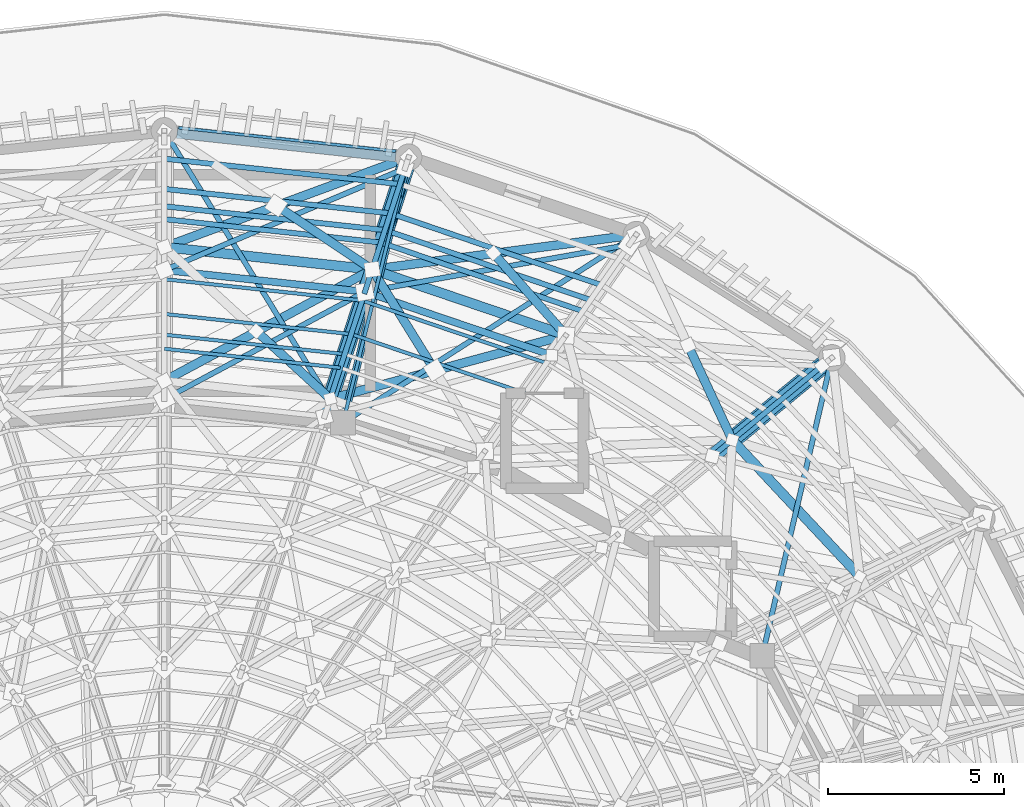
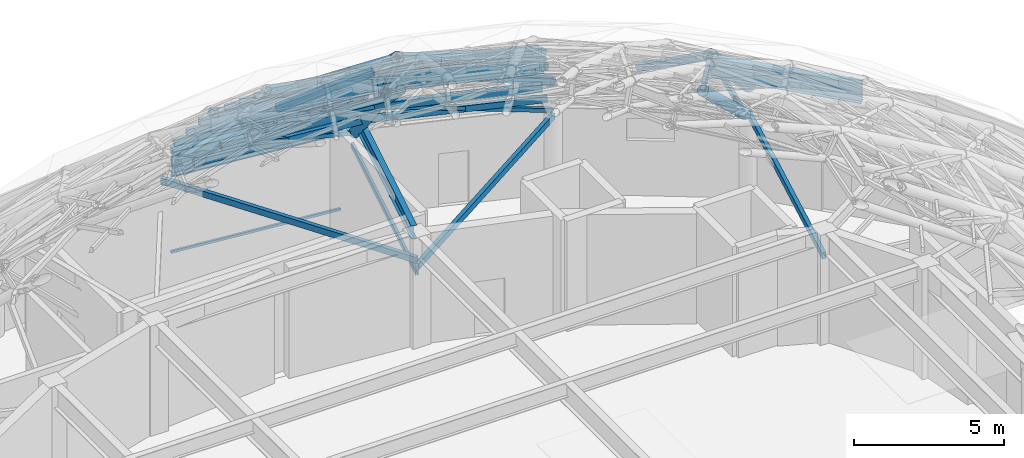
# One storey, part 33 of 50: 44 members, 5 beams.
"""IFC4 building model written with IfcOpenShell, lengths in metres."""

import ifcopenshell
import ifcopenshell.guid

model = None  # the IFC model being written
_history = None  # IfcOwnerHistory: only IFC2X3 demands one
_inside = {}  # id of a spatial element -> (the spatial element, [elements in it])
_under = {}  # id of a project, library or spatial element -> (it, [spatial elements below it])
_declared = {}  # id of a project -> (the project, [libraries it declares])
_typed = {}  # id of a type object -> (the type object, [elements of that type])
_made_of = {}  # id of a material, layer set ... -> (it, [elements and type objects made of it])


def new_model(schema):
    """Start an empty IFC model of exactly this schema.

    Asked for "IFC4X3", IfcOpenShell would pick the latest addendum, in which some entities
    have other attributes; the version numbers below select the first issue.
    IFC2X3 requires an IfcOwnerHistory on every rooted entity: one is made here for all.
    """
    global model, _history
    if schema == "IFC4X3":
        model = ifcopenshell.file(schema_version=(4, 3, 0, 0))
    else:
        model = ifcopenshell.file(schema=schema)
    _inside.clear()
    _under.clear()
    _declared.clear()
    _typed.clear()
    _made_of.clear()
    _history = None
    if model.schema == "IFC2X3":
        org = make("IfcOrganization", Name="unknown")
        user = make(
            "IfcPersonAndOrganization",
            ThePerson=make("IfcPerson", FamilyName="unknown"),
            TheOrganization=org,
        )
        app = make(
            "IfcApplication",
            ApplicationDeveloper=org,
            Version="unknown",
            ApplicationFullName="unknown",
            ApplicationIdentifier="unknown",
        )
        _history = make(
            "IfcOwnerHistory",
            OwningUser=user,
            OwningApplication=app,
            ChangeAction="ADDED",
            CreationDate=0,
        )
    return model


def make(cls, **values):
    """One entity of the class cls with the attributes given. An attribute that is None is left unset."""
    return model.create_entity(
        cls, **{name: value for name, value in values.items() if value is not None}
    )


def rooted(cls, **values):
    """An entity with a GlobalId (a new one), such as an element, a storey or a relation."""
    return make(cls, GlobalId=ifcopenshell.guid.new(), OwnerHistory=_history, **values)


def si_unit(unit_type, name, prefix=None):
    """IfcSIUnit, for example si_unit("LENGTHUNIT", "METRE", prefix="MILLI")."""
    return make("IfcSIUnit", UnitType=unit_type, Prefix=prefix, Name=name)


def assignment(units):
    """IfcUnitAssignment: the units of a project."""
    return None if units is None else make("IfcUnitAssignment", Units=units)


def point(xyz):
    """IfcCartesianPoint."""
    return None if xyz is None else make("IfcCartesianPoint", Coordinates=xyz)


def direction(xyz):
    """IfcDirection."""
    return None if xyz is None else make("IfcDirection", DirectionRatios=xyz)


def frame(location, z_axis=None, x_axis=None):
    """IfcAxis2Placement3D, a coordinate frame: its origin and axes. An axis left out is left unset."""
    return make(
        "IfcAxis2Placement3D",
        Location=point(location),
        Axis=direction(z_axis),
        RefDirection=direction(x_axis),
    )


def frame_2d(location, x_axis=None):
    """IfcAxis2Placement2D, a coordinate frame in the plane: its origin and x axis."""
    return make(
        "IfcAxis2Placement2D", Location=point(location), RefDirection=direction(x_axis)
    )


def origin():
    """The frame at (0, 0, 0) with its axes left unset."""
    return frame((0.0, 0.0, 0.0))


def origin_2d():
    """The frame at (0, 0) in the plane with its x axis left unset."""
    return frame_2d((0.0, 0.0))


def place(relative_to, where):
    """IfcLocalPlacement: puts the frame where relative to a parent placement (None: the world)."""
    return make(
        "IfcLocalPlacement", PlacementRelTo=relative_to, RelativePlacement=where
    )


def context(
    kind, dimensions, precision=None, world=None, true_north=None, identifier=None
):
    """IfcGeometricRepresentationContext, for example the 3D "Model" context."""
    return make(
        "IfcGeometricRepresentationContext",
        ContextIdentifier=identifier,
        ContextType=kind,
        CoordinateSpaceDimension=dimensions,
        Precision=precision,
        WorldCoordinateSystem=world,
        TrueNorth=true_north,
    )


def subcontext(parent, identifier, kind, view, scale=None):
    """IfcGeometricRepresentationSubContext, for example "Body" below "Model"."""
    return make(
        "IfcGeometricRepresentationSubContext",
        ContextIdentifier=identifier,
        ContextType=kind,
        ParentContext=parent,
        TargetScale=scale,
        TargetView=view,
    )


def project(units=None, contexts=None):
    """IfcProject with its units and contexts."""
    return rooted(
        "IfcProject",
        Name="project",
        RepresentationContexts=contexts,
        UnitsInContext=assignment(units),
    )


def spatial(cls, under=None, at=None, **own):
    """A site, building, storey or space (cls), placed at a placement, below another one or the project."""
    s = rooted(cls, ObjectPlacement=at, **own)
    if under is not None:
        _under.setdefault(under.id(), (under, []))[1].append(s)
    return s


def profile(cls, at=None, kind="AREA", **sizes):
    """A parametric profile (cls). Its sizes go by their IFC names, for example OverallWidth=200.0."""
    return make(cls, ProfileType=kind, Position=at, **sizes)


def rectangle(**sizes):
    """IfcRectangleProfileDef."""
    return profile("IfcRectangleProfileDef", **sizes)


def hollow_rectangle(**sizes):
    """IfcRectangleHollowProfileDef."""
    return profile("IfcRectangleHollowProfileDef", **sizes)


def hollow_circle(**sizes):
    """IfcCircleHollowProfileDef."""
    return profile("IfcCircleHollowProfileDef", **sizes)


def i_section(**sizes):
    """IfcIShapeProfileDef."""
    return profile("IfcIShapeProfileDef", **sizes)


def extrude(swept, where, along, depth):
    """IfcExtrudedAreaSolid: the profile swept, set in the frame where, extruded along a direction by depth."""
    return make(
        "IfcExtrudedAreaSolid",
        SweptArea=swept,
        Position=where,
        ExtrudedDirection=direction(along),
        Depth=depth,
    )


def shape(context_of_items, identifier, shape_type, items):
    """IfcShapeRepresentation: the items that make up one representation, for example the "Body"."""
    return make(
        "IfcShapeRepresentation",
        ContextOfItems=context_of_items,
        RepresentationIdentifier=identifier,
        RepresentationType=shape_type,
        Items=items,
    )


def material(Name=None, Category=None):
    """IfcMaterial."""
    return make("IfcMaterial", Name=Name, Category=Category)


def material_profile(
    of_material, cross_section, Name=None, Category=None, Priority=None
):
    """IfcMaterialProfile: a cross section and its material."""
    return make(
        "IfcMaterialProfile",
        Name=Name,
        Material=of_material,
        Profile=cross_section,
        Priority=Priority,
        Category=Category,
    )


def profile_set(profiles, Name=None, composite=None):
    """IfcMaterialProfileSet."""
    return make(
        "IfcMaterialProfileSet",
        Name=Name,
        MaterialProfiles=profiles,
        CompositeProfile=composite,
    )


def made_of(thing, what):
    """Note that an element or type object is made of a material, layer set ...; save() writes the relation."""
    if what is not None:
        _made_of.setdefault(what.id(), (what, []))[1].append(thing)
    return thing


def type_object(cls, material=None, **own):
    """A type object (cls), such as IfcWallType, which elements share."""
    return made_of(rooted(cls, **own), material)


def element(
    cls,
    number,
    at=None,
    inside=None,
    cuts=None,
    type_object=None,
    material=None,
    context=None,
    identifier="Body",
    shape_type=None,
    held_by="IfcProductDefinitionShape",
    body=None,
    shapes=None,
    **own,
):
    """One element of the class cls, such as IfcWall. Its Tag is "e" and its number.

    at: its placement. inside: the storey or other place that contains it. cuts: it is an
    opening in that element (IfcRelVoidsElement). A single representation is given by context,
    identifier, shape_type and body (its items); several are given by shapes. held_by: the class
    of the entity that holds the representations. save() writes the other relations.
    """
    e = rooted(cls, Tag="e%d" % number, ObjectPlacement=at, **own)
    if body is not None:
        shapes = [shape(context, identifier, shape_type, body)]
    if shapes is not None:
        e.Representation = make(held_by, Representations=shapes)
    if inside is not None:
        _inside.setdefault(inside.id(), (inside, []))[1].append(e)
    if cuts is not None:
        rooted(
            "IfcRelVoidsElement", RelatingBuildingElement=cuts, RelatedOpeningElement=e
        )
    if type_object is not None:
        _typed.setdefault(type_object.id(), (type_object, []))[1].append(e)
    return made_of(e, material)


def aggregate(whole, parts):
    """IfcRelAggregates: a whole, such as a stair, and the parts it consists of."""
    return rooted("IfcRelAggregates", RelatingObject=whole, RelatedObjects=parts)


def save(model, path):
    """Write the relations noted so far, then the file.

    IfcRelAggregates (storeys below a building ...), IfcRelContainedInSpatialStructure (elements
    in a storey), IfcRelDefinesByType, IfcRelAssociatesMaterial and IfcRelDeclares: one each for
    every whole, place, type object, material and project.
    """
    for whole, parts in _under.values():
        aggregate(whole, parts)
    for where, things in _inside.values():
        rooted(
            "IfcRelContainedInSpatialStructure",
            RelatedElements=things,
            RelatingStructure=where,
        )
    for kind, things in _typed.values():
        rooted("IfcRelDefinesByType", RelatedObjects=things, RelatingType=kind)
    for what, things in _made_of.values():
        rooted("IfcRelAssociatesMaterial", RelatedObjects=things, RelatingMaterial=what)
    for by, libraries in _declared.values():
        rooted("IfcRelDeclares", RelatingContext=by, RelatedDefinitions=libraries)
    model.write(path)


model = new_model("IFC4")

# Units and contexts
model_context = context("Model", 3, precision=1e-05, world=origin(), true_north=direction((0.0, 1.0)))
body_context = subcontext(model_context, "Body", "Model", "MODEL_VIEW")
ifc_project = project(units=[si_unit("LENGTHUNIT", "METRE"), si_unit("AREAUNIT", "SQUARE_METRE"), si_unit("VOLUMEUNIT", "CUBIC_METRE"), si_unit("PLANEANGLEUNIT", "RADIAN"), si_unit("MASSUNIT", "GRAM", prefix="KILO")], contexts=[model_context])

# Site, building, storey
site_placement = place(None, origin())
site = spatial("IfcSite", under=ifc_project, at=site_placement, CompositionType="ELEMENT")
building_placement = place(site_placement, origin())
building = spatial("IfcBuilding", under=site, at=building_placement, Name="Cinderbank Siding Concert Hall", CompositionType="ELEMENT")
storey_placement = place(building_placement, frame((0.0, 0.0, 23.699951171875)))
storey = spatial("IfcBuildingStorey", under=building, at=storey_placement, Name="L06", CompositionType="ELEMENT", Elevation=23.699951171875)

# Beams
ifc_material_1 = material(Name="Structural steel AS/NZS 3679.1 Grade 350 (340 MPa)", Category="steel")
ifc_material_profile_1 = material_profile(ifc_material_1, i_section(OverallWidth=0.208984375, OverallDepth=0.532958984375, WebThickness=0.01025390625, FlangeThickness=0.015625, at=origin_2d()), Name="530UB92.4", Category="LoadBearing")
ifc_profile_set_1 = profile_set([ifc_material_profile_1], Name="Structural steel AS/NZS 3679.1 Grade 350 (340 MPa)")
beam_type_1 = type_object("IfcBeamType", Name="BM-UB530H 530UB92.4", PredefinedType="BEAM", material=ifc_profile_set_1)
beam_1_placement = place(storey_placement, frame((127.155029296875, 58.048095703125, 4.235595703125), z_axis=(0.240115631411, 0.970744293598, 0.0), x_axis=(-0.970744293598, 0.240115631411, 0.0)))
element("IfcBeam", 1, at=beam_1_placement, inside=storey, type_object=beam_type_1, Name="L06 Beam BM-UB530H #841", PredefinedType="BEAM", context=body_context, shape_type="SweptSolid", body=[
    extrude(i_section(OverallWidth=0.208984375, OverallDepth=0.532958984375, WebThickness=0.01025390625, FlangeThickness=0.015625, at=origin_2d()), origin(), (0.0, 0.0, 1.0), 7.05224609375),
])
ifc_material_2 = material(Name="Structural steel welded plate section AS/NZS 3679.2 / AS/NZS 3678 Grade 350 (340 MPa)", Category="steel")
ifc_material_profile_2 = material_profile(ifc_material_2, i_section(OverallWidth=0.35009765625, OverallDepth=1.0, WebThickness=0.013916015625, FlangeThickness=0.02490234375, at=origin_2d()), Name="1000WB258", Category="LoadBearing")
ifc_profile_set_2 = profile_set([ifc_material_profile_2], Name="Structural steel welded plate section AS/NZS 3679.2 / AS/NZS 3678 Grade 350 (340 MPa)")
beam_type_2 = type_object("IfcBeamType", Name="BM-WB1000 1000WB258", PredefinedType="BEAM", material=ifc_profile_set_2)
beam_2_placement = place(storey_placement, frame((128.571533203125, 65.289794921875, 4.0), z_axis=(-0.994208402861, 0.107469305761, 0.0), x_axis=(-0.107469305761, -0.994208402861, 0.0)))
element("IfcBeam", 2, at=beam_2_placement, inside=storey, type_object=beam_type_2, Name="L06 Beam BM-WB1000 #822", PredefinedType="BEAM", context=body_context, shape_type="SweptSolid", body=[
    extrude(i_section(OverallWidth=0.35009765625, OverallDepth=1.0, WebThickness=0.013916015625, FlangeThickness=0.02490234375, at=origin_2d()), origin(), (0.0, 0.0, 1.0), 6.24267578125),
])
ifc_material_profile_3 = material_profile(ifc_material_2, i_section(OverallWidth=0.27490234375, OverallDepth=0.800048828125, WebThickness=0.010009765625, FlangeThickness=0.01611328125, at=origin_2d()), Name="800WB146", Category="LoadBearing")
ifc_profile_set_3 = profile_set([ifc_material_profile_3], Name="Structural steel welded plate section AS/NZS 3679.2 / AS/NZS 3678 Grade 350 (340 MPa)")
beam_type_3 = type_object("IfcBeamType", Name="BM-WB800 800WB146", PredefinedType="BEAM", material=ifc_profile_set_3)
beam_3_placement = place(storey_placement, frame((141.745361328125, 53.35009765625, 7.699951171875), z_axis=(-0.683191972894, 0.730238815849, 0.0), x_axis=(-0.730238815849, -0.683191972894, 0.0)))
element("IfcBeam", 3, at=beam_3_placement, inside=storey, type_object=beam_type_3, Name="L06 Beam BM-WB800 #2035", PredefinedType="BEAM", context=body_context, shape_type="SweptSolid", body=[
    extrude(i_section(OverallWidth=0.27490234375, OverallDepth=0.800048828125, WebThickness=0.010009765625, FlangeThickness=0.01611328125, at=origin_2d()), origin(), (0.0, 0.0, 1.0), 5.303466796875),
])
beam_4_placement = place(storey_placement, frame((133.39990234375, 60.194580078125, 7.699951171875), z_axis=(-0.946847286492, 0.32168340968, 0.0), x_axis=(-0.32168340968, -0.946847286492, 0.0)))
element("IfcBeam", 4, at=beam_4_placement, inside=storey, type_object=beam_type_3, Name="L06 Beam BM-WB800 #2037", PredefinedType="BEAM", context=body_context, shape_type="SweptSolid", body=[
    extrude(i_section(OverallWidth=0.27490234375, OverallDepth=0.800048828125, WebThickness=0.010009765625, FlangeThickness=0.01611328125, at=origin_2d()), origin(), (0.0, 0.0, 1.0), 5.807373046875),
])
beam_5_placement = place(storey_placement, frame((127.901123046875, 62.062744140625, 7.699951171875), z_axis=(-0.99422058231, 0.107356572745, 0.0), x_axis=(-0.107356572745, -0.99422058231, 0.0)))
element("IfcBeam", 5, at=beam_5_placement, inside=storey, type_object=beam_type_3, Name="L06 Beam BM-WB800 #2038", PredefinedType="BEAM", context=body_context, shape_type="SweptSolid", body=[
    extrude(i_section(OverallWidth=0.27490234375, OverallDepth=0.800048828125, WebThickness=0.010009765625, FlangeThickness=0.01611328125, at=origin_2d()), origin(), (0.0, 0.0, 1.0), 5.935546875),
])

# Members
ifc_material_3 = material(Name="Structural steel hollow section AS/NZS 1163 Grade C350L0 (350 MPa)", Category="steel")
ifc_material_profile_4 = material_profile(ifc_material_3, hollow_rectangle(XDim=0.14990234375, YDim=0.14990234375, WallThickness=0.008056640625, at=origin_2d()), Name="150x150x8.0SHS", Category="LoadBearing")
ifc_profile_set_4 = profile_set([ifc_material_profile_4], Name="Structural steel hollow section AS/NZS 1163 Grade C350L0 (350 MPa)")
member_type_1 = type_object("IfcMemberType", Name="BR-SHS150 150x150x8.0SHS Roof Truss", PredefinedType="BRACE", material=ifc_profile_set_4)
member_1_placement = place(storey_placement, frame((140.666259765625, 59.322998046875, 3.550048828125), z_axis=(-0.452689460035, -0.373671887076, 0.80959346192), x_axis=(0.636588791364, -0.771203417206, 0.0)))
element("IfcMember", 6, at=member_1_placement, inside=storey, type_object=member_type_1, Name="L06 Diagonal Brace BR-SHS150 #DWBD-BR-SHS150-L06-0566", PredefinedType="BRACE", context=body_context, shape_type="SweptSolid", body=[
    extrude(hollow_rectangle(XDim=0.14990234375, YDim=0.14990234375, WallThickness=0.008056640625, at=origin_2d()), origin(), (0.0, 0.0, 1.0), 5.6201171875),
])
member_2_placement = place(storey_placement, frame((135.198974609375, 62.766845703125, 3.550048828125), z_axis=(-0.890219039627, -0.158506370092, 0.42706649614), x_axis=(0.175296201555, -0.984515739702, 0.0)))
element("IfcMember", 7, at=member_2_placement, inside=storey, type_object=member_type_1, Name="L06 Diagonal Brace BR-SHS150 #DBRI-BR-SHS150-L06-0587", PredefinedType="BRACE", context=body_context, shape_type="SweptSolid", body=[
    extrude(hollow_rectangle(XDim=0.14990234375, YDim=0.14990234375, WallThickness=0.008056640625, at=origin_2d()), origin(), (0.0, 0.0, 1.0), 8.429931640625),
])
member_3_placement = place(storey_placement, frame((128.832275390625, 64.931640625, 3.550048828125), z_axis=(-0.170572320139, -0.525536270045, 0.83349667814), x_axis=(0.951154746371, -0.30871450963, 0.0)))
element("IfcMember", 8, at=member_3_placement, inside=storey, type_object=member_type_1, Name="L06 Diagonal Brace BR-SHS150 #DWBD-BR-SHS150-L06-0590", PredefinedType="BRACE", context=body_context, shape_type="SweptSolid", body=[
    extrude(hollow_rectangle(XDim=0.14990234375, YDim=0.14990234375, WallThickness=0.008056640625, at=origin_2d()), origin(), (0.0, 0.0, 1.0), 5.458984375),
])
member_4_placement = place(storey_placement, frame((128.832275390625, 64.931640625, 3.550048828125), z_axis=(-0.828711720214, -0.350081470658, 0.436669037923), x_axis=(0.389142753647, -0.921177462427, 0.0)))
element("IfcMember", 9, at=member_4_placement, inside=storey, type_object=member_type_1, Name="L06 Diagonal Brace BR-SHS150 #DBRI-BR-SHS150-L06-0599", PredefinedType="BRACE", context=body_context, shape_type="SweptSolid", body=[
    extrude(hollow_rectangle(XDim=0.14990234375, YDim=0.14990234375, WallThickness=0.008056640625, at=origin_2d()), origin(), (0.0, 0.0, 1.0), 8.244384765625),
])
member_5_placement = place(storey_placement, frame((137.557861328125, 56.760009765625, 7.150146484375), z_axis=(0.470991454389, 0.386412720693, 0.793002054966), x_axis=(-0.634275599208, 0.77310701992, 0.0)))
element("IfcMember", 10, at=member_5_placement, inside=storey, type_object=member_type_1, Name="L06 Diagonal Brace BR-SHS150 #DWBV-BR-SHS150-L06-0857", PredefinedType="BRACE", context=body_context, shape_type="SweptSolid", body=[
    extrude(hollow_rectangle(XDim=0.14990234375, YDim=0.14990234375, WallThickness=0.008056640625, at=origin_2d()), origin(), (0.0, 0.0, 1.0), 1.197998046875),
])
member_6_placement = place(storey_placement, frame((127.694580078125, 61.4306640625, 7.150146484375), z_axis=(-0.187934294222, -0.580213915056, 0.792485024357), x_axis=(0.951339765212, -0.30814388056, 0.0)))
element("IfcMember", 11, at=member_6_placement, inside=storey, type_object=member_type_1, Name="L06 Diagonal Brace BR-SHS150 #DWBD-BR-SHS150-L06-0878", PredefinedType="BRACE", context=body_context, shape_type="SweptSolid", body=[
    extrude(hollow_rectangle(XDim=0.14990234375, YDim=0.14990234375, WallThickness=0.008056640625, at=origin_2d()), origin(), (0.0, 0.0, 1.0), 5.236572265625),
])
member_7_placement = place(storey_placement, frame((127.694580078125, 61.4306640625, 7.150146484375), z_axis=(0.178120981918, 0.545100735444, 0.819230189885), x_axis=(-0.950539108206, 0.310604899785, 0.0)))
element("IfcMember", 12, at=member_7_placement, inside=storey, type_object=member_type_1, Name="L06 Diagonal Brace BR-SHS150 #DWBV-BR-SHS150-L06-0881", PredefinedType="BRACE", context=body_context, shape_type="SweptSolid", body=[
    extrude(hollow_rectangle(XDim=0.14990234375, YDim=0.14990234375, WallThickness=0.008056640625, at=origin_2d()), origin(), (0.0, 0.0, 1.0), 1.15966796875),
])
member_8_placement = place(storey_placement, frame((127.694580078125, 61.4306640625, 7.150146484375), z_axis=(-0.789816658408, -0.423334956631, 0.443821090751), x_axis=(0.472411197164, -0.881378273384, 0.0)))
element("IfcMember", 13, at=member_8_placement, inside=storey, type_object=member_type_1, Name="L06 Diagonal Brace BR-SHS150 #DBRI-BR-SHS150-L06-0887", PredefinedType="BRACE", context=body_context, shape_type="SweptSolid", body=[
    extrude(hollow_rectangle(XDim=0.14990234375, YDim=0.14990234375, WallThickness=0.008056640625, at=origin_2d()), origin(), (0.0, 0.0, 1.0), 7.2099609375),
])
ifc_material_profile_5 = material_profile(ifc_material_3, hollow_rectangle(XDim=0.25, YDim=0.25, WallThickness=0.010009765625, at=origin_2d()), Name="250x250x10.0SHS", Category="LoadBearing")
ifc_profile_set_5 = profile_set([ifc_material_profile_5], Name="Structural steel hollow section AS/NZS 1163 Grade C350L0 (350 MPa)")
member_type_2 = type_object("IfcMemberType", Name="BR-SHS250 250x250x10.0SHS Roof Truss", PredefinedType="BRACE", material=ifc_profile_set_5)
member_9_placement = place(storey_placement, frame((136.876708984375, 59.889892578125, 6.453125), z_axis=(0.369228339727, -0.790717581489, 0.488299231483), x_axis=(0.906083521163, 0.423098868679, 0.0)))
element("IfcMember", 14, at=member_9_placement, inside=storey, type_object=member_type_2, Name="L06 Diagonal Brace BR-SHS250 #DBRO-BR-SHS250-L06-0574-S60", PredefinedType="BRACE", context=body_context, shape_type="SweptSolid", body=[
    extrude(hollow_rectangle(XDim=0.25, YDim=0.25, WallThickness=0.010009765625, at=origin_2d()), origin(), (0.0, 0.0, 1.0), 3.372802734375),
])
member_10_placement = place(storey_placement, frame((135.39990234375, 63.052490234375, 4.5), z_axis=(-0.895176496431, -0.11815222258, 0.429766323177), x_axis=(0.130852773673, -0.991401811387, 0.0)))
element("IfcMember", 15, at=member_10_placement, inside=storey, type_object=member_type_2, Name="L06 Diagonal Brace BR-SHS250 #DBRO-BR-SHS250-L06-0585", PredefinedType="BRACE", context=body_context, shape_type="SweptSolid", body=[
    extrude(hollow_rectangle(XDim=0.25, YDim=0.25, WallThickness=0.010009765625, at=origin_2d()), origin(), (0.0, 0.0, 1.0), 8.376953125),
])
member_11_placement = place(storey_placement, frame((131.357421875, 62.50830078125, 6.45263671875), z_axis=(0.583824277491, -0.661355806572, 0.470911573573), x_axis=(0.749683163545, 0.661796913181, 0.0)))
element("IfcMember", 16, at=member_11_placement, inside=storey, type_object=member_type_2, Name="L06 Diagonal Brace BR-SHS250 #DBRO-BR-SHS250-L06-0586-S61", PredefinedType="BRACE", context=body_context, shape_type="SweptSolid", body=[
    extrude(hollow_rectangle(XDim=0.25, YDim=0.25, WallThickness=0.010009765625, at=origin_2d()), origin(), (0.0, 0.0, 1.0), 3.49853515625),
])
member_12_placement = place(storey_placement, frame((128.936279296875, 65.25048828125, 4.5), z_axis=(-0.843770201736, -0.310262479235, 0.437937256513), x_axis=(0.345117427797, -0.938559513846, 0.0)))
element("IfcMember", 17, at=member_12_placement, inside=storey, type_object=member_type_2, Name="L06 Diagonal Brace BR-SHS250 #DBRO-BR-SHS250-L06-0597", PredefinedType="BRACE", context=body_context, shape_type="SweptSolid", body=[
    extrude(hollow_rectangle(XDim=0.25, YDim=0.25, WallThickness=0.010009765625, at=origin_2d()), origin(), (0.0, 0.0, 1.0), 8.220458984375),
])
member_13_placement = place(storey_placement, frame((125.19970703125, 63.864990234375, 6.4521484375), z_axis=(0.741814873648, -0.494900804091, 0.452530537472), x_axis=(0.554977752544, 0.831865189908, 0.0)))
element("IfcMember", 18, at=member_13_placement, inside=storey, type_object=member_type_2, Name="L06 Diagonal Brace BR-SHS250 #DBRO-BR-SHS250-L06-0598-S62", PredefinedType="BRACE", context=body_context, shape_type="SweptSolid", body=[
    extrude(hollow_rectangle(XDim=0.25, YDim=0.25, WallThickness=0.010009765625, at=origin_2d()), origin(), (0.0, 0.0, 1.0), 3.6416015625),
])
member_14_placement = place(storey_placement, frame((133.39990234375, 60.194580078125, 8.10009765625), z_axis=(-0.87658241106, -0.236165378045, 0.419319914663), x_axis=(0.260140287544, -0.965570831579, 0.0)))
element("IfcMember", 19, at=member_14_placement, inside=storey, type_object=member_type_2, Name="L06 Diagonal Brace BR-SHS250 #DBRO-BR-SHS250-L06-0873", PredefinedType="BRACE", context=body_context, shape_type="SweptSolid", body=[
    extrude(hollow_rectangle(XDim=0.25, YDim=0.25, WallThickness=0.010009765625, at=origin_2d()), origin(), (0.0, 0.0, 1.0), 7.63134765625),
])
member_15_placement = place(storey_placement, frame((127.901123046875, 62.062744140625, 8.10009765625), z_axis=(0.466188429807, -0.751809109667, 0.466316856372), x_axis=(0.849868880938, 0.526994198463, 0.0)))
element("IfcMember", 20, at=member_15_placement, inside=storey, type_object=member_type_2, Name="L06 Diagonal Brace BR-SHS250 #DBRO-BR-SHS250-L06-0874", PredefinedType="BRACE", context=body_context, shape_type="SweptSolid", body=[
    extrude(hollow_rectangle(XDim=0.25, YDim=0.25, WallThickness=0.010009765625, at=origin_2d()), origin(), (0.0, 0.0, 1.0), 3.802001953125),
])
member_16_placement = place(storey_placement, frame((127.901123046875, 62.062744140625, 8.10009765625), z_axis=(-0.795226599266, -0.426219874787, 0.431220679185), x_axis=(0.472398485629, -0.88138508654, 0.0)))
element("IfcMember", 21, at=member_16_placement, inside=storey, type_object=member_type_2, Name="L06 Diagonal Brace BR-SHS250 #DBRO-BR-SHS250-L06-0885", PredefinedType="BRACE", context=body_context, shape_type="SweptSolid", body=[
    extrude(hollow_rectangle(XDim=0.25, YDim=0.25, WallThickness=0.010009765625, at=origin_2d()), origin(), (0.0, 0.0, 1.0), 7.420654296875),
])
member_17_placement = place(storey_placement, frame((124.629638671875, 60.295166015625, 9.886474609375), z_axis=(0.659703249603, -0.603276678095, 0.448161658477), x_axis=(0.67484195984, 0.737962281719, 0.0)))
element("IfcMember", 22, at=member_17_placement, inside=storey, type_object=member_type_2, Name="L06 Diagonal Brace BR-SHS250 #DBRO-BR-SHS250-L06-0886-S86", PredefinedType="BRACE", context=body_context, shape_type="SweptSolid", body=[
    extrude(hollow_rectangle(XDim=0.25, YDim=0.25, WallThickness=0.010009765625, at=origin_2d()), origin(), (0.0, 0.0, 1.0), 3.154052734375),
])
ifc_material_profile_6 = material_profile(ifc_material_3, hollow_circle(Radius=0.177734375, WallThickness=0.0126953125, at=origin_2d()), Name="355.6x12.7CHS", Category="LoadBearing")
ifc_profile_set_6 = profile_set([ifc_material_profile_6], Name="Structural steel hollow section AS/NZS 1163 Grade C350L0 (350 MPa)")
member_type_3 = type_object("IfcMemberType", Name="DR-CHS355 355.6x12.7CHS Roof Truss", PredefinedType="RAFTER", material=ifc_profile_set_6)
member_18_placement = place(storey_placement, frame((127.694580078125, 61.4306640625, 7.150146484375), z_axis=(-0.234010079383, -0.72142333865, 0.651757354541), x_axis=(0.951209297801, -0.308546385129, 0.0)))
element("IfcMember", 23, at=member_18_placement, inside=storey, type_object=member_type_3, Name="L06 Roof Truss Member DR-CHS355 #877", PredefinedType="RAFTER", context=body_context, shape_type="SweptSolid", body=[
    extrude(hollow_circle(Radius=0.177734375, WallThickness=0.0126953125, at=origin_2d()), origin(), (0.0, 0.0, 1.0), 4.90966796875),
])
ifc_material_profile_7 = material_profile(ifc_material_3, hollow_circle(Radius=0.203125, WallThickness=0.01611328125, at=origin_2d()), Name="406.4x16.0CHS", Category="LoadBearing")
ifc_profile_set_7 = profile_set([ifc_material_profile_7], Name="Structural steel hollow section AS/NZS 1163 Grade C350L0 (350 MPa)")
member_type_4 = type_object("IfcMemberType", Name="DR-CHS406 406.4x16.0CHS Roof Truss", PredefinedType="RAFTER", material=ifc_profile_set_7)
member_19_placement = place(storey_placement, frame((140.666259765625, 59.322998046875, 3.550048828125), z_axis=(-0.575316188818, -0.474369254651, 0.666322064115), x_axis=(0.636170191189, -0.771548759213, 0.0)))
element("IfcMember", 24, at=member_19_placement, inside=storey, type_object=member_type_4, Name="L06 Roof Truss Member DR-CHS406 #565", PredefinedType="RAFTER", context=body_context, shape_type="SweptSolid", body=[
    extrude(hollow_circle(Radius=0.203125, WallThickness=0.01611328125, at=origin_2d()), origin(), (0.0, 0.0, 1.0), 5.40283203125),
])
member_20_placement = place(storey_placement, frame((128.832275390625, 64.931640625, 3.550048828125), z_axis=(-0.220955908226, -0.679937279819, 0.699187944785), x_axis=(0.95104381584, -0.309056079624, 0.0)))
element("IfcMember", 25, at=member_20_placement, inside=storey, type_object=member_type_4, Name="L06 Roof Truss Member DR-CHS406 #589", PredefinedType="RAFTER", context=body_context, shape_type="SweptSolid", body=[
    extrude(hollow_circle(Radius=0.203125, WallThickness=0.01611328125, at=origin_2d()), origin(), (0.0, 0.0, 1.0), 5.14892578125),
])
ifc_material_profile_8 = material_profile(ifc_material_3, hollow_circle(Radius=0.228515625, WallThickness=0.01611328125, at=origin_2d()), Name="457.0x16.0CHS", Category="LoadBearing")
ifc_profile_set_8 = profile_set([ifc_material_profile_8], Name="Structural steel hollow section AS/NZS 1163 Grade C350L0 (350 MPa)")
member_type_5 = type_object("IfcMemberType", Name="DR-CHS457 457.0x16.0CHS Roof Truss", PredefinedType="RAFTER", material=ifc_profile_set_8)
member_21_placement = place(storey_placement, frame((127.901123046875, 62.062744140625, 8.10009765625), z_axis=(-0.237521316365, -0.73219099246, 0.638341581626), x_axis=(0.951202242561, -0.308568134693, 0.0)))
element("IfcMember", 26, at=member_21_placement, inside=storey, type_object=member_type_5, Name="L06 Roof Truss Member DR-CHS457 #876", PredefinedType="RAFTER", context=body_context, shape_type="SweptSolid", body=[
    extrude(hollow_circle(Radius=0.228515625, WallThickness=0.01611328125, at=origin_2d()), origin(), (0.0, 0.0, 1.0), 5.012939453125),
])
ifc_material_profile_9 = material_profile(ifc_material_3, hollow_circle(Radius=0.25390625, WallThickness=0.01611328125, at=origin_2d()), Name="508.0x16.0CHS", Category="LoadBearing")
ifc_profile_set_9 = profile_set([ifc_material_profile_9], Name="Structural steel hollow section AS/NZS 1163 Grade C350L0 (350 MPa)")
member_type_6 = type_object("IfcMemberType", Name="DR-CHS508 508.0x16.0CHS Roof Truss", PredefinedType="RAFTER", material=ifc_profile_set_9)
member_22_placement = place(storey_placement, frame((140.950439453125, 59.556396484375, 4.5), z_axis=(-0.550412440768, -0.454108080177, 0.700594031209), x_axis=(0.636397811369, -0.771361021627, 0.0)))
element("IfcMember", 27, at=member_22_placement, inside=storey, type_object=member_type_6, Name="L06 Roof Truss Member DR-CHS508 #564", PredefinedType="RAFTER", context=body_context, shape_type="SweptSolid", body=[
    extrude(hollow_circle(Radius=0.25390625, WallThickness=0.01611328125, at=origin_2d()), origin(), (0.0, 0.0, 1.0), 5.138671875),
])
member_23_placement = place(storey_placement, frame((128.936279296875, 65.25048828125, 4.5), z_axis=(-0.210451677028, -0.64808196862, 0.731915195625), x_axis=(0.951109518613, -0.308853822388, 0.0)))
element("IfcMember", 28, at=member_23_placement, inside=storey, type_object=member_type_6, Name="L06 Roof Truss Member DR-CHS508 #588", PredefinedType="RAFTER", context=body_context, shape_type="SweptSolid", body=[
    extrude(hollow_circle(Radius=0.25390625, WallThickness=0.01611328125, at=origin_2d()), origin(), (0.0, 0.0, 1.0), 4.918701171875),
])
ifc_material_4 = material(Name="Anodised aluminium alloy 6063-T6", Category="aluminium")
ifc_material_profile_10 = material_profile(ifc_material_4, rectangle(XDim=0.080078125, YDim=0.10009765625, at=origin_2d()), Name="ALU-RAIL-80x100", Category="LoadBearing")
ifc_profile_set_10 = profile_set([ifc_material_profile_10], Name="Anodised aluminium alloy 6063-T6")
member_type_7 = type_object("IfcMemberType", Name="LV-RL1 Carrier Rail 80x100", PredefinedType="STUD", material=ifc_profile_set_10)
for number, where, z_axis, x_axis, name in (
    (29, (128.569091796875, 65.420654296875, 0.219970703125), (-0.994211711823, 0.107438689841, 0.0), (-0.107438689841, -0.994211711823, 0.0), "L06 Louvre Carrier Rail 06 BOT"),
    (30, (128.569091796875, 65.420654296875, 3.320068359375), (-0.994211711823, 0.107438689841, 0.0), (-0.107438689841, -0.994211711823, 0.0), "L06 Louvre Carrier Rail 06 TOP"),
):
    element("IfcMember", number, at=place(storey_placement, frame(where, z_axis=z_axis, x_axis=x_axis)), inside=storey, type_object=member_type_7, Name=name, PredefinedType="STUD", context=body_context, shape_type="SweptSolid", body=[
        extrude(rectangle(XDim=0.080078125, YDim=0.10009765625, at=origin_2d()), origin(), (0.0, 0.0, 1.0), 6.19677734375),
    ])
ifc_material_profile_11 = material_profile(ifc_material_3, hollow_rectangle(XDim=0.10009765625, YDim=0.199951171875, WallThickness=0.008056640625, at=origin_2d()), Name="200x100x8.0RHS", Category="LoadBearing")
ifc_profile_set_11 = profile_set([ifc_material_profile_11], Name="Structural steel hollow section AS/NZS 1163 Grade C350L0 (350 MPa)")
member_type_8 = type_object("IfcMemberType", Name="PR-RHS200 200x100x8.0RHS Roof Truss", PredefinedType="PURLIN", material=ifc_profile_set_11)
member_24_placement = place(storey_placement, frame((132.847900390625, 59.40478515625, 8.8681640625), z_axis=(-0.946878796549, 0.321590647634, 0.0), x_axis=(-0.321590647634, -0.946878796549, 0.0)))
element("IfcMember", 31, at=member_24_placement, inside=storey, type_object=member_type_8, Name="L06 Roof Truss Member PR-RHS200 #870", PredefinedType="PURLIN", context=body_context, shape_type="SweptSolid", body=[
    extrude(hollow_rectangle(XDim=0.10009765625, YDim=0.199951171875, WallThickness=0.008056640625, at=origin_2d()), origin(), (0.0, 0.0, 1.0), 5.52587890625),
])
member_25_placement = place(storey_placement, frame((132.25, 58.54931640625, 9.699951171875), z_axis=(-0.946934231259, 0.321427381644, 0.0), x_axis=(-0.321427381644, -0.946934231259, 0.0)))
element("IfcMember", 32, at=member_25_placement, inside=storey, type_object=member_type_8, Name="L06 Roof Truss Member PR-RHS200 #871", PredefinedType="PURLIN", context=body_context, shape_type="SweptSolid", body=[
    extrude(hollow_rectangle(XDim=0.10009765625, YDim=0.199951171875, WallThickness=0.008056640625, at=origin_2d()), origin(), (0.0, 0.0, 1.0), 5.22119140625),
])
member_26_placement = place(storey_placement, frame((127.1201171875, 59.65966796875, 8.75), z_axis=(-0.994233579191, 0.107236141338, 0.0), x_axis=(-0.107236141338, -0.994233579191, 0.0)))
element("IfcMember", 33, at=member_26_placement, inside=storey, type_object=member_type_8, Name="L06 Roof Truss Member PR-RHS200 #880", PredefinedType="PURLIN", context=body_context, shape_type="SweptSolid", body=[
    extrude(hollow_rectangle(XDim=0.10009765625, YDim=0.199951171875, WallThickness=0.008056640625, at=origin_2d()), origin(), (0.0, 0.0, 1.0), 5.14990234375),
])
member_27_placement = place(storey_placement, frame((127.615478515625, 61.181884765625, 8.8681640625), z_axis=(-0.994223639187, 0.107328259471, 0.0), x_axis=(-0.107328259471, -0.994223639187, 0.0)))
element("IfcMember", 34, at=member_27_placement, inside=storey, type_object=member_type_8, Name="L06 Roof Truss Member PR-RHS200 #882", PredefinedType="PURLIN", context=body_context, shape_type="SweptSolid", body=[
    extrude(hollow_rectangle(XDim=0.10009765625, YDim=0.199951171875, WallThickness=0.008056640625, at=origin_2d()), origin(), (0.0, 0.0, 1.0), 5.648193359375),
])
member_28_placement = place(storey_placement, frame((127.305908203125, 60.2275390625, 9.699951171875), z_axis=(-0.994229091086, 0.107277744379, 0.0), x_axis=(-0.107277744379, -0.994229091086, 0.0)))
element("IfcMember", 35, at=member_28_placement, inside=storey, type_object=member_type_8, Name="L06 Roof Truss Member PR-RHS200 #883", PredefinedType="PURLIN", context=body_context, shape_type="SweptSolid", body=[
    extrude(hollow_rectangle(XDim=0.10009765625, YDim=0.199951171875, WallThickness=0.008056640625, at=origin_2d()), origin(), (0.0, 0.0, 1.0), 5.336669921875),
])
member_29_placement = place(storey_placement, frame((126.99609375, 59.273193359375, 10.531982421875), z_axis=(-0.994234657027, 0.107226147775, 0.0), x_axis=(-0.107226147775, -0.994234657027, 0.0)))
element("IfcMember", 36, at=member_29_placement, inside=storey, type_object=member_type_8, Name="L06 Roof Truss Member PR-RHS200 #884", PredefinedType="PURLIN", context=body_context, shape_type="SweptSolid", body=[
    extrude(hollow_rectangle(XDim=0.10009765625, YDim=0.199951171875, WallThickness=0.008056640625, at=origin_2d()), origin(), (0.0, 0.0, 1.0), 5.025146484375),
])
member_30_placement = place(storey_placement, frame((127.072998046875, 57.716064453125, 2.81005859375), z_axis=(0.240070192761, 0.970755531814, 0.0), x_axis=(-0.970755531814, 0.240070192761, 0.0)))
element("IfcMember", 37, at=member_30_placement, inside=storey, type_object=member_type_8, Name="L06 Roof Truss Member PR-RHS200 #2338", PredefinedType="PURLIN", context=body_context, shape_type="SweptSolid", body=[
    extrude(hollow_rectangle(XDim=0.10009765625, YDim=0.199951171875, WallThickness=0.008056640625, at=origin_2d()), origin(), (0.0, 0.0, 1.0), 7.761474609375),
])
ifc_material_profile_12 = material_profile(ifc_material_3, hollow_rectangle(XDim=0.14990234375, YDim=0.25, WallThickness=0.009033203125, at=origin_2d()), Name="250x150x9.0RHS", Category="LoadBearing")
ifc_profile_set_12 = profile_set([ifc_material_profile_12], Name="Structural steel hollow section AS/NZS 1163 Grade C350L0 (350 MPa)")
member_type_9 = type_object("IfcMemberType", Name="PR-RHS250 250x150x9.0RHS Roof Truss", PredefinedType="PURLIN", material=ifc_profile_set_12)
member_31_placement = place(storey_placement, frame((134.10009765625, 61.197509765625, 5.35009765625), z_axis=(-0.946813534053, 0.321782739958, 0.0), x_axis=(-0.321782739958, -0.946813534053, 0.0)))
element("IfcMember", 38, at=member_31_placement, inside=storey, type_object=member_type_9, Name="L06 Roof Truss Member PR-RHS250 #580", PredefinedType="PURLIN", context=body_context, shape_type="SweptSolid", body=[
    extrude(hollow_rectangle(XDim=0.14990234375, YDim=0.25, WallThickness=0.009033203125, at=origin_2d()), origin(), (0.0, 0.0, 1.0), 6.16455078125),
])
member_32_placement = place(storey_placement, frame((134.39990234375, 61.62353515625, 6.300048828125), z_axis=(-0.946804070582, 0.321810583931, 0.0), x_axis=(-0.321810583931, -0.946804070582, 0.0)))
element("IfcMember", 39, at=member_32_placement, inside=storey, type_object=member_type_9, Name="L06 Roof Truss Member PR-RHS250 #583", PredefinedType="PURLIN", context=body_context, shape_type="SweptSolid", body=[
    extrude(hollow_rectangle(XDim=0.14990234375, YDim=0.25, WallThickness=0.009033203125, at=origin_2d()), origin(), (0.0, 0.0, 1.0), 6.317138671875),
])
member_33_placement = place(storey_placement, frame((133.8798828125, 60.880615234375, 7.236083984375), z_axis=(-0.946823631867, 0.321753026619, 0.0), x_axis=(-0.321753026619, -0.946823631867, 0.0)))
element("IfcMember", 40, at=member_33_placement, inside=storey, type_object=member_type_9, Name="L06 Roof Truss Member PR-RHS250 #584", PredefinedType="PURLIN", context=body_context, shape_type="SweptSolid", body=[
    extrude(hollow_rectangle(XDim=0.14990234375, YDim=0.25, WallThickness=0.009033203125, at=origin_2d()), origin(), (0.0, 0.0, 1.0), 6.052001953125),
])
member_34_placement = place(storey_placement, frame((128.263427734375, 63.18115234375, 5.35009765625), z_axis=(-0.994217451748, 0.107385560662, 0.0), x_axis=(-0.107385560662, -0.994217451748, 0.0)))
element("IfcMember", 41, at=member_34_placement, inside=storey, type_object=member_type_9, Name="L06 Roof Truss Member PR-RHS250 #592", PredefinedType="PURLIN", context=body_context, shape_type="SweptSolid", body=[
    extrude(hollow_rectangle(XDim=0.14990234375, YDim=0.25, WallThickness=0.009033203125, at=origin_2d()), origin(), (0.0, 0.0, 1.0), 6.2998046875),
])
member_35_placement = place(storey_placement, frame((128.68798828125, 64.4853515625, 5.364013671875), z_axis=(-0.994212915868, 0.107427547309, 0.0), x_axis=(-0.107427547309, -0.994212915868, 0.0)))
element("IfcMember", 42, at=member_35_placement, inside=storey, type_object=member_type_9, Name="L06 Roof Truss Member PR-RHS250 #594", PredefinedType="PURLIN", context=body_context, shape_type="SweptSolid", body=[
    extrude(hollow_rectangle(XDim=0.14990234375, YDim=0.25, WallThickness=0.009033203125, at=origin_2d()), origin(), (0.0, 0.0, 1.0), 6.726806640625),
])
member_36_placement = place(storey_placement, frame((128.418701171875, 63.656494140625, 6.300048828125), z_axis=(-0.994212179536, 0.107434361647, 0.0), x_axis=(-0.107434361647, -0.994212179536, 0.0)))
element("IfcMember", 43, at=member_36_placement, inside=storey, type_object=member_type_9, Name="L06 Roof Truss Member PR-RHS250 #595", PredefinedType="PURLIN", context=body_context, shape_type="SweptSolid", body=[
    extrude(hollow_rectangle(XDim=0.14990234375, YDim=0.25, WallThickness=0.009033203125, at=origin_2d()), origin(), (0.0, 0.0, 1.0), 6.4560546875),
])
member_37_placement = place(storey_placement, frame((128.149658203125, 62.827880859375, 7.236083984375), z_axis=(-0.994220263343, 0.10735952663, 0.0), x_axis=(-0.10735952663, -0.994220263343, 0.0)))
element("IfcMember", 44, at=member_37_placement, inside=storey, type_object=member_type_9, Name="L06 Roof Truss Member PR-RHS250 #596", PredefinedType="PURLIN", context=body_context, shape_type="SweptSolid", body=[
    extrude(hollow_rectangle(XDim=0.14990234375, YDim=0.25, WallThickness=0.009033203125, at=origin_2d()), origin(), (0.0, 0.0, 1.0), 6.185302734375),
])
ifc_material_profile_13 = material_profile(ifc_material_3, hollow_rectangle(XDim=0.199951171875, YDim=0.300048828125, WallThickness=0.010009765625, at=origin_2d()), Name="300x200x10.0RHS", Category="LoadBearing")
ifc_profile_set_13 = profile_set([ifc_material_profile_13], Name="Structural steel hollow section AS/NZS 1163 Grade C350L0 (350 MPa)")
member_type_10 = type_object("IfcMemberType", Name="PR-RHS300 300x200x10.0RHS Roof Truss", PredefinedType="PURLIN", material=ifc_profile_set_13)
member_38_placement = place(storey_placement, frame((133.0009765625, 59.6279296875, 7.150146484375), z_axis=(-0.946851049731, 0.321672332699, 0.0), x_axis=(-0.321672332699, -0.946851049731, 0.0)))
element("IfcMember", 45, at=member_38_placement, inside=storey, type_object=member_type_10, Name="L06 Roof Truss Member PR-RHS300 #579", PredefinedType="PURLIN", context=body_context, shape_type="SweptSolid", body=[
    extrude(hollow_rectangle(XDim=0.199951171875, YDim=0.300048828125, WallThickness=0.010009765625, at=origin_2d()), origin(), (0.0, 0.0, 1.0), 5.604248046875),
])
member_39_placement = place(storey_placement, frame((127.694580078125, 61.4306640625, 7.150146484375), z_axis=(-0.994223531809, 0.107329254152, 0.0), x_axis=(-0.107329254152, -0.994223531809, 0.0)))
element("IfcMember", 46, at=member_39_placement, inside=storey, type_object=member_type_10, Name="L06 Roof Truss Member PR-RHS300 #591", PredefinedType="PURLIN", context=body_context, shape_type="SweptSolid", body=[
    extrude(hollow_rectangle(XDim=0.199951171875, YDim=0.300048828125, WallThickness=0.010009765625, at=origin_2d()), origin(), (0.0, 0.0, 1.0), 5.727783203125),
])
ifc_material_profile_14 = material_profile(ifc_material_3, hollow_rectangle(XDim=0.14990234375, YDim=0.25, WallThickness=0.009033203125, at=origin_2d()), Name="250x150x9.0RHS", Category="LoadBearing")
ifc_profile_set_14 = profile_set([ifc_material_profile_14], Name="Structural steel hollow section AS/NZS 1163 Grade C350L0 (350 MPa)")
member_type_11 = type_object("IfcMemberType", Name="TR-RHS250 250x150x9.0RHS Roof Truss", PredefinedType="RAFTER", material=ifc_profile_set_14)
member_40_placement = place(storey_placement, frame((138.97412109375, 51.10009765625, 3.35009765625), z_axis=(0.227577092084, 0.973760066525, 0.0), x_axis=(-0.973760066525, 0.227577092084, 0.0)))
element("IfcMember", 47, at=member_40_placement, inside=storey, type_object=member_type_11, Name="L06 Roof Truss Member TR-RHS250 #2334", PredefinedType="RAFTER", context=body_context, shape_type="SweptSolid", body=[
    extrude(hollow_rectangle(XDim=0.14990234375, YDim=0.25, WallThickness=0.009033203125, at=origin_2d()), origin(), (0.0, 0.0, 1.0), 8.68408203125),
])
member_41_placement = place(storey_placement, frame((127.072998046875, 57.716064453125, 3.070068359375), z_axis=(0.841940386591, 0.539570556487, 0.0), x_axis=(-0.539570556487, 0.841940386591, 0.0)))
element("IfcMember", 48, at=member_41_placement, inside=storey, type_object=member_type_11, Name="L06 Roof Truss Member TR-RHS250 #2336", PredefinedType="RAFTER", context=body_context, shape_type="SweptSolid", body=[
    extrude(hollow_rectangle(XDim=0.14990234375, YDim=0.25, WallThickness=0.009033203125, at=origin_2d()), origin(), (0.0, 0.0, 1.0), 9.89013671875),
])
member_42_placement = place(storey_placement, frame((127.072998046875, 57.716064453125, 3.35009765625), z_axis=(-0.522243768439, 0.852796251356, 0.0), x_axis=(-0.852796251356, -0.522243768439, 0.0)))
element("IfcMember", 49, at=member_42_placement, inside=storey, type_object=member_type_11, Name="L06 Roof Truss Member TR-RHS250 #2337", PredefinedType="RAFTER", context=body_context, shape_type="SweptSolid", body=[
    extrude(hollow_rectangle(XDim=0.14990234375, YDim=0.25, WallThickness=0.009033203125, at=origin_2d()), origin(), (0.0, 0.0, 1.0), 9.7138671875),
])

save(model, "model.ifc")
